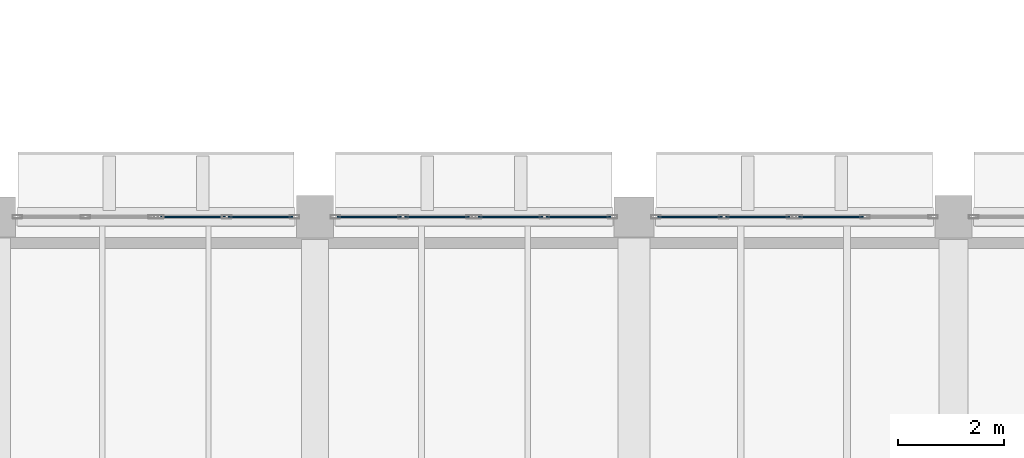
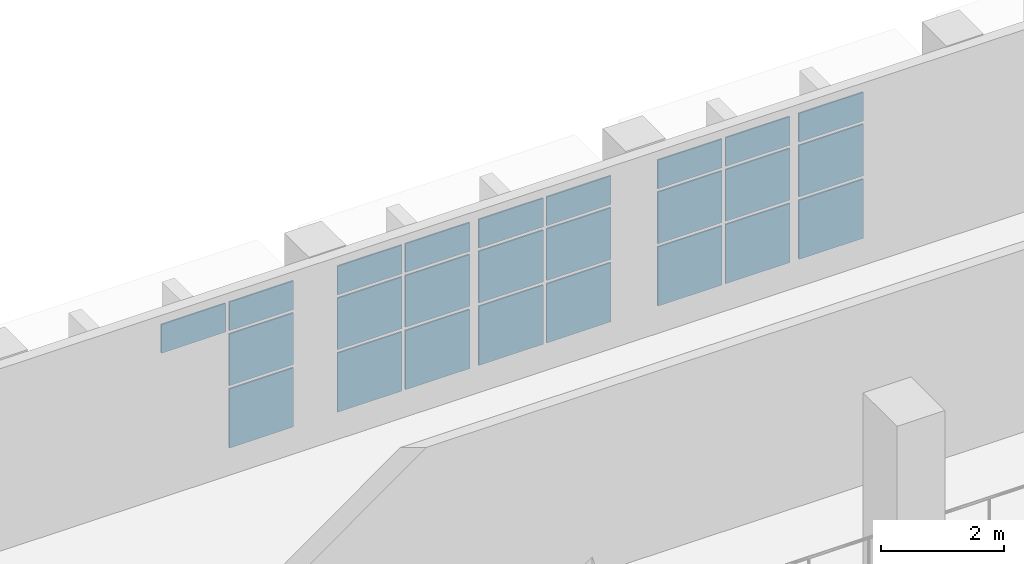
# One storey, part 54 of 80: 25 plates, 5 elements without a shape of their own.
"""IFC4 building model written with IfcOpenShell, lengths in metres."""

from ifc_helpers import new_model, si_unit, direction, frame, origin, origin_2d, place, context, subcontext, project, spatial, rectangle, extrude, material, layer, layer_set, type_object, element, aggregate, save


model = new_model("IFC4")

# Units and contexts
model_context = context("Model", 3, precision=1e-05, world=origin(), true_north=direction((0.0, 1.0)))
body_context = subcontext(model_context, "Body", "Model", "MODEL_VIEW")
ifc_project = project(units=[si_unit("LENGTHUNIT", "METRE"), si_unit("AREAUNIT", "SQUARE_METRE"), si_unit("VOLUMEUNIT", "CUBIC_METRE"), si_unit("PLANEANGLEUNIT", "RADIAN"), si_unit("MASSUNIT", "GRAM", prefix="KILO")], contexts=[model_context])

# Site, building, storey
site_placement = place(None, origin())
site = spatial("IfcSite", under=ifc_project, at=site_placement, CompositionType="ELEMENT")
building_placement = place(site_placement, origin())
building = spatial("IfcBuilding", under=site, at=building_placement, Name="Varnakota Cinema and Media Centre", CompositionType="ELEMENT")
storey_placement = place(building_placement, frame((0.0, 0.0, 4.5)))
storey = spatial("IfcBuildingStorey", under=building, at=storey_placement, Name="L01", CompositionType="ELEMENT", Elevation=4.5)

# Curtain wall, plates
ifc_material_1 = material(Name="Thermally broken anodised aluminium AW-6063", Category="aluminium")
curtain_wall_type = type_object("IfcCurtainWallType", Name="CW-STD-262x304", PredefinedType="USERDEFINED", material=ifc_material_1)
curtain_wall_1_placement = place(storey_placement, origin())
curtain_wall_1 = element("IfcCurtainWall", 1, at=curtain_wall_1_placement, inside=storey, type_object=curtain_wall_type, Name="L01 curtain wall CW-L01-V1-N-07-2", ObjectType="UNITISED CURTAIN WALL", PredefinedType="USERDEFINED")
ifc_material_2 = material(Name="Laminated solar-control double glazing", Category="glass")
ifc_layer = layer(ifc_material_2, 0.028076171875)
ifc_layer_set = layer_set([ifc_layer], Name="Laminated solar-control double glazing")
plate_type = type_object("IfcPlateType", Name="CWP-DGU-28", PredefinedType="CURTAIN_PANEL", material=ifc_layer_set)
plate_1_placement = place(storey_placement, frame((114.703125, 44.0, 2.399658203125), z_axis=(0.0, 0.0, 1.0), x_axis=(1.0, 0.0, 0.0)))
plate_1 = element("IfcPlate", 2, at=plate_1_placement, type_object=plate_type, Name="CW17 panel 1.3", PredefinedType="CURTAIN_PANEL", context=body_context, shape_type="SweptSolid", body=[
    extrude(rectangle(XDim=1.211181640625, YDim=0.028076171875, at=origin_2d()), origin(), (0.0, 0.0, 1.0), 0.5703125),
])
plate_2_placement = place(storey_placement, frame((115.9794921875, 44.0, 0.06494140625), z_axis=(0.0, 0.0, 1.0), x_axis=(1.0, 0.0, 0.0)))
plate_2 = element("IfcPlate", 3, at=plate_2_placement, type_object=plate_type, Name="CW17 panel 2.1", PredefinedType="CURTAIN_PANEL", context=body_context, shape_type="SweptSolid", body=[
    extrude(rectangle(XDim=1.211181640625, YDim=0.028076171875, at=origin_2d()), origin(), (0.0, 0.0, 1.0), 1.17724609375),
])
plate_3_placement = place(storey_placement, frame((115.9794921875, 44.0, 1.30712890625), z_axis=(0.0, 0.0, 1.0), x_axis=(1.0, 0.0, 0.0)))
plate_3 = element("IfcPlate", 4, at=plate_3_placement, type_object=plate_type, Name="CW17 panel 2.2", PredefinedType="CURTAIN_PANEL", context=body_context, shape_type="SweptSolid", body=[
    extrude(rectangle(XDim=1.211181640625, YDim=0.028076171875, at=origin_2d()), origin(), (0.0, 0.0, 1.0), 1.027587890625),
])
plate_4_placement = place(storey_placement, frame((115.9794921875, 44.0, 2.399658203125), z_axis=(0.0, 0.0, 1.0), x_axis=(1.0, 0.0, 0.0)))
plate_4 = element("IfcPlate", 5, at=plate_4_placement, type_object=plate_type, Name="CW17 panel 2.3", PredefinedType="CURTAIN_PANEL", context=body_context, shape_type="SweptSolid", body=[
    extrude(rectangle(XDim=1.211181640625, YDim=0.028076171875, at=origin_2d()), origin(), (0.0, 0.0, 1.0), 0.5703125),
])
aggregate(curtain_wall_1, [plate_1, plate_2, plate_3, plate_4])

curtain_wall_2_placement = place(storey_placement, origin())
curtain_wall_2 = element("IfcCurtainWall", 6, at=curtain_wall_2_placement, inside=storey, type_object=curtain_wall_type, Name="L01 curtain wall CW-L01-V1-N-08-1", ObjectType="UNITISED CURTAIN WALL", PredefinedType="USERDEFINED")
plate_5_placement = place(storey_placement, frame((118.0205078125, 44.0, 0.06494140625), z_axis=(0.0, 0.0, 1.0), x_axis=(1.0, 0.0, 0.0)))
plate_5 = element("IfcPlate", 7, at=plate_5_placement, type_object=plate_type, Name="CW17 panel 1.1", PredefinedType="CURTAIN_PANEL", context=body_context, shape_type="SweptSolid", body=[
    extrude(rectangle(XDim=1.211181640625, YDim=0.028076171875, at=origin_2d()), origin(), (0.0, 0.0, 1.0), 1.17724609375),
])
plate_6_placement = place(storey_placement, frame((118.0205078125, 44.0, 1.30712890625), z_axis=(0.0, 0.0, 1.0), x_axis=(1.0, 0.0, 0.0)))
plate_6 = element("IfcPlate", 8, at=plate_6_placement, type_object=plate_type, Name="CW17 panel 1.2", PredefinedType="CURTAIN_PANEL", context=body_context, shape_type="SweptSolid", body=[
    extrude(rectangle(XDim=1.211181640625, YDim=0.028076171875, at=origin_2d()), origin(), (0.0, 0.0, 1.0), 1.027587890625),
])
plate_7_placement = place(storey_placement, frame((118.0205078125, 44.0, 2.399658203125), z_axis=(0.0, 0.0, 1.0), x_axis=(1.0, 0.0, 0.0)))
plate_7 = element("IfcPlate", 9, at=plate_7_placement, type_object=plate_type, Name="CW17 panel 1.3", PredefinedType="CURTAIN_PANEL", context=body_context, shape_type="SweptSolid", body=[
    extrude(rectangle(XDim=1.211181640625, YDim=0.028076171875, at=origin_2d()), origin(), (0.0, 0.0, 1.0), 0.5703125),
])
plate_8_placement = place(storey_placement, frame((119.296875, 44.0, 0.06494140625), z_axis=(0.0, 0.0, 1.0), x_axis=(1.0, 0.0, 0.0)))
plate_8 = element("IfcPlate", 10, at=plate_8_placement, type_object=plate_type, Name="CW17 panel 2.1", PredefinedType="CURTAIN_PANEL", context=body_context, shape_type="SweptSolid", body=[
    extrude(rectangle(XDim=1.211181640625, YDim=0.028076171875, at=origin_2d()), origin(), (0.0, 0.0, 1.0), 1.17724609375),
])
plate_9_placement = place(storey_placement, frame((119.296875, 44.0, 1.30712890625), z_axis=(0.0, 0.0, 1.0), x_axis=(1.0, 0.0, 0.0)))
plate_9 = element("IfcPlate", 11, at=plate_9_placement, type_object=plate_type, Name="CW17 panel 2.2", PredefinedType="CURTAIN_PANEL", context=body_context, shape_type="SweptSolid", body=[
    extrude(rectangle(XDim=1.211181640625, YDim=0.028076171875, at=origin_2d()), origin(), (0.0, 0.0, 1.0), 1.027587890625),
])
plate_10_placement = place(storey_placement, frame((119.296875, 44.0, 2.399658203125), z_axis=(0.0, 0.0, 1.0), x_axis=(1.0, 0.0, 0.0)))
plate_10 = element("IfcPlate", 12, at=plate_10_placement, type_object=plate_type, Name="CW17 panel 2.3", PredefinedType="CURTAIN_PANEL", context=body_context, shape_type="SweptSolid", body=[
    extrude(rectangle(XDim=1.211181640625, YDim=0.028076171875, at=origin_2d()), origin(), (0.0, 0.0, 1.0), 0.5703125),
])
aggregate(curtain_wall_2, [plate_5, plate_6, plate_7, plate_8, plate_9, plate_10])

curtain_wall_3_placement = place(storey_placement, origin())
curtain_wall_3 = element("IfcCurtainWall", 13, at=curtain_wall_3_placement, inside=storey, type_object=curtain_wall_type, Name="L01 curtain wall CW-L01-V1-N-08-2", ObjectType="UNITISED CURTAIN WALL", PredefinedType="USERDEFINED")
plate_11_placement = place(storey_placement, frame((120.67822265625, 44.0, 0.06494140625), z_axis=(0.0, 0.0, 1.0), x_axis=(1.0, 0.0, 0.0)))
plate_11 = element("IfcPlate", 14, at=plate_11_placement, type_object=plate_type, Name="CW17 panel 1.1", PredefinedType="CURTAIN_PANEL", context=body_context, shape_type="SweptSolid", body=[
    extrude(rectangle(XDim=1.211181640625, YDim=0.028076171875, at=origin_2d()), origin(), (0.0, 0.0, 1.0), 1.17724609375),
])
plate_12_placement = place(storey_placement, frame((120.67822265625, 44.0, 1.30712890625), z_axis=(0.0, 0.0, 1.0), x_axis=(1.0, 0.0, 0.0)))
plate_12 = element("IfcPlate", 15, at=plate_12_placement, type_object=plate_type, Name="CW17 panel 1.2", PredefinedType="CURTAIN_PANEL", context=body_context, shape_type="SweptSolid", body=[
    extrude(rectangle(XDim=1.211181640625, YDim=0.028076171875, at=origin_2d()), origin(), (0.0, 0.0, 1.0), 1.027587890625),
])
plate_13_placement = place(storey_placement, frame((120.67822265625, 44.0, 2.399658203125), z_axis=(0.0, 0.0, 1.0), x_axis=(1.0, 0.0, 0.0)))
plate_13 = element("IfcPlate", 16, at=plate_13_placement, type_object=plate_type, Name="CW17 panel 1.3", PredefinedType="CURTAIN_PANEL", context=body_context, shape_type="SweptSolid", body=[
    extrude(rectangle(XDim=1.211181640625, YDim=0.028076171875, at=origin_2d()), origin(), (0.0, 0.0, 1.0), 0.5703125),
])
plate_14_placement = place(storey_placement, frame((121.954345703125, 44.0, 0.06494140625), z_axis=(0.0, 0.0, 1.0), x_axis=(1.0, 0.0, 0.0)))
plate_14 = element("IfcPlate", 17, at=plate_14_placement, type_object=plate_type, Name="CW17 panel 2.1", PredefinedType="CURTAIN_PANEL", context=body_context, shape_type="SweptSolid", body=[
    extrude(rectangle(XDim=1.211181640625, YDim=0.028076171875, at=origin_2d()), origin(), (0.0, 0.0, 1.0), 1.17724609375),
])
plate_15_placement = place(storey_placement, frame((121.954345703125, 44.0, 1.30712890625), z_axis=(0.0, 0.0, 1.0), x_axis=(1.0, 0.0, 0.0)))
plate_15 = element("IfcPlate", 18, at=plate_15_placement, type_object=plate_type, Name="CW17 panel 2.2", PredefinedType="CURTAIN_PANEL", context=body_context, shape_type="SweptSolid", body=[
    extrude(rectangle(XDim=1.211181640625, YDim=0.028076171875, at=origin_2d()), origin(), (0.0, 0.0, 1.0), 1.027587890625),
])
plate_16_placement = place(storey_placement, frame((121.954345703125, 44.0, 2.399658203125), z_axis=(0.0, 0.0, 1.0), x_axis=(1.0, 0.0, 0.0)))
plate_16 = element("IfcPlate", 19, at=plate_16_placement, type_object=plate_type, Name="CW17 panel 2.3", PredefinedType="CURTAIN_PANEL", context=body_context, shape_type="SweptSolid", body=[
    extrude(rectangle(XDim=1.211181640625, YDim=0.028076171875, at=origin_2d()), origin(), (0.0, 0.0, 1.0), 0.5703125),
])
aggregate(curtain_wall_3, [plate_11, plate_12, plate_13, plate_14, plate_15, plate_16])

curtain_wall_4_placement = place(storey_placement, origin())
curtain_wall_4 = element("IfcCurtainWall", 20, at=curtain_wall_4_placement, inside=storey, type_object=curtain_wall_type, Name="L01 curtain wall CW-L01-V1-N-09-1", ObjectType="UNITISED CURTAIN WALL", PredefinedType="USERDEFINED")
plate_17_placement = place(storey_placement, frame((124.045654296875, 44.0, 0.06494140625), z_axis=(0.0, 0.0, 1.0), x_axis=(1.0, 0.0, 0.0)))
plate_17 = element("IfcPlate", 21, at=plate_17_placement, type_object=plate_type, Name="CW17 panel 1.1", PredefinedType="CURTAIN_PANEL", context=body_context, shape_type="SweptSolid", body=[
    extrude(rectangle(XDim=1.211181640625, YDim=0.028076171875, at=origin_2d()), origin(), (0.0, 0.0, 1.0), 1.17724609375),
])
plate_18_placement = place(storey_placement, frame((124.045654296875, 44.0, 1.30712890625), z_axis=(0.0, 0.0, 1.0), x_axis=(1.0, 0.0, 0.0)))
plate_18 = element("IfcPlate", 22, at=plate_18_placement, type_object=plate_type, Name="CW17 panel 1.2", PredefinedType="CURTAIN_PANEL", context=body_context, shape_type="SweptSolid", body=[
    extrude(rectangle(XDim=1.211181640625, YDim=0.028076171875, at=origin_2d()), origin(), (0.0, 0.0, 1.0), 1.027587890625),
])
plate_19_placement = place(storey_placement, frame((124.045654296875, 44.0, 2.399658203125), z_axis=(0.0, 0.0, 1.0), x_axis=(1.0, 0.0, 0.0)))
plate_19 = element("IfcPlate", 23, at=plate_19_placement, type_object=plate_type, Name="CW17 panel 1.3", PredefinedType="CURTAIN_PANEL", context=body_context, shape_type="SweptSolid", body=[
    extrude(rectangle(XDim=1.211181640625, YDim=0.028076171875, at=origin_2d()), origin(), (0.0, 0.0, 1.0), 0.5703125),
])
plate_20_placement = place(storey_placement, frame((125.32177734375, 44.0, 0.06494140625), z_axis=(0.0, 0.0, 1.0), x_axis=(1.0, 0.0, 0.0)))
plate_20 = element("IfcPlate", 24, at=plate_20_placement, type_object=plate_type, Name="CW17 panel 2.1", PredefinedType="CURTAIN_PANEL", context=body_context, shape_type="SweptSolid", body=[
    extrude(rectangle(XDim=1.211181640625, YDim=0.028076171875, at=origin_2d()), origin(), (0.0, 0.0, 1.0), 1.17724609375),
])
plate_21_placement = place(storey_placement, frame((125.32177734375, 44.0, 1.30712890625), z_axis=(0.0, 0.0, 1.0), x_axis=(1.0, 0.0, 0.0)))
plate_21 = element("IfcPlate", 25, at=plate_21_placement, type_object=plate_type, Name="CW17 panel 2.2", PredefinedType="CURTAIN_PANEL", context=body_context, shape_type="SweptSolid", body=[
    extrude(rectangle(XDim=1.211181640625, YDim=0.028076171875, at=origin_2d()), origin(), (0.0, 0.0, 1.0), 1.027587890625),
])
plate_22_placement = place(storey_placement, frame((125.32177734375, 44.0, 2.399658203125), z_axis=(0.0, 0.0, 1.0), x_axis=(1.0, 0.0, 0.0)))
plate_22 = element("IfcPlate", 26, at=plate_22_placement, type_object=plate_type, Name="CW17 panel 2.3", PredefinedType="CURTAIN_PANEL", context=body_context, shape_type="SweptSolid", body=[
    extrude(rectangle(XDim=1.211181640625, YDim=0.028076171875, at=origin_2d()), origin(), (0.0, 0.0, 1.0), 0.5703125),
])
aggregate(curtain_wall_4, [plate_17, plate_18, plate_19, plate_20, plate_21, plate_22])

curtain_wall_5_placement = place(storey_placement, origin())
curtain_wall_5 = element("IfcCurtainWall", 27, at=curtain_wall_5_placement, inside=storey, type_object=curtain_wall_type, Name="L01 curtain wall CW-L01-V1-N-09-2", ObjectType="UNITISED CURTAIN WALL", PredefinedType="USERDEFINED")
plate_23_placement = place(storey_placement, frame((126.703125, 44.0, 0.06494140625), z_axis=(0.0, 0.0, 1.0), x_axis=(1.0, 0.0, 0.0)))
plate_23 = element("IfcPlate", 28, at=plate_23_placement, type_object=plate_type, Name="CW17 panel 1.1", PredefinedType="CURTAIN_PANEL", context=body_context, shape_type="SweptSolid", body=[
    extrude(rectangle(XDim=1.211181640625, YDim=0.028076171875, at=origin_2d()), origin(), (0.0, 0.0, 1.0), 1.17724609375),
])
plate_24_placement = place(storey_placement, frame((126.703125, 44.0, 1.30712890625), z_axis=(0.0, 0.0, 1.0), x_axis=(1.0, 0.0, 0.0)))
plate_24 = element("IfcPlate", 29, at=plate_24_placement, type_object=plate_type, Name="CW17 panel 1.2", PredefinedType="CURTAIN_PANEL", context=body_context, shape_type="SweptSolid", body=[
    extrude(rectangle(XDim=1.211181640625, YDim=0.028076171875, at=origin_2d()), origin(), (0.0, 0.0, 1.0), 1.027587890625),
])
plate_25_placement = place(storey_placement, frame((126.703125, 44.0, 2.399658203125), z_axis=(0.0, 0.0, 1.0), x_axis=(1.0, 0.0, 0.0)))
plate_25 = element("IfcPlate", 30, at=plate_25_placement, type_object=plate_type, Name="CW17 panel 1.3", PredefinedType="CURTAIN_PANEL", context=body_context, shape_type="SweptSolid", body=[
    extrude(rectangle(XDim=1.211181640625, YDim=0.028076171875, at=origin_2d()), origin(), (0.0, 0.0, 1.0), 0.5703125),
])
aggregate(curtain_wall_5, [plate_23, plate_24, plate_25])

save(model, "model.ifc")
